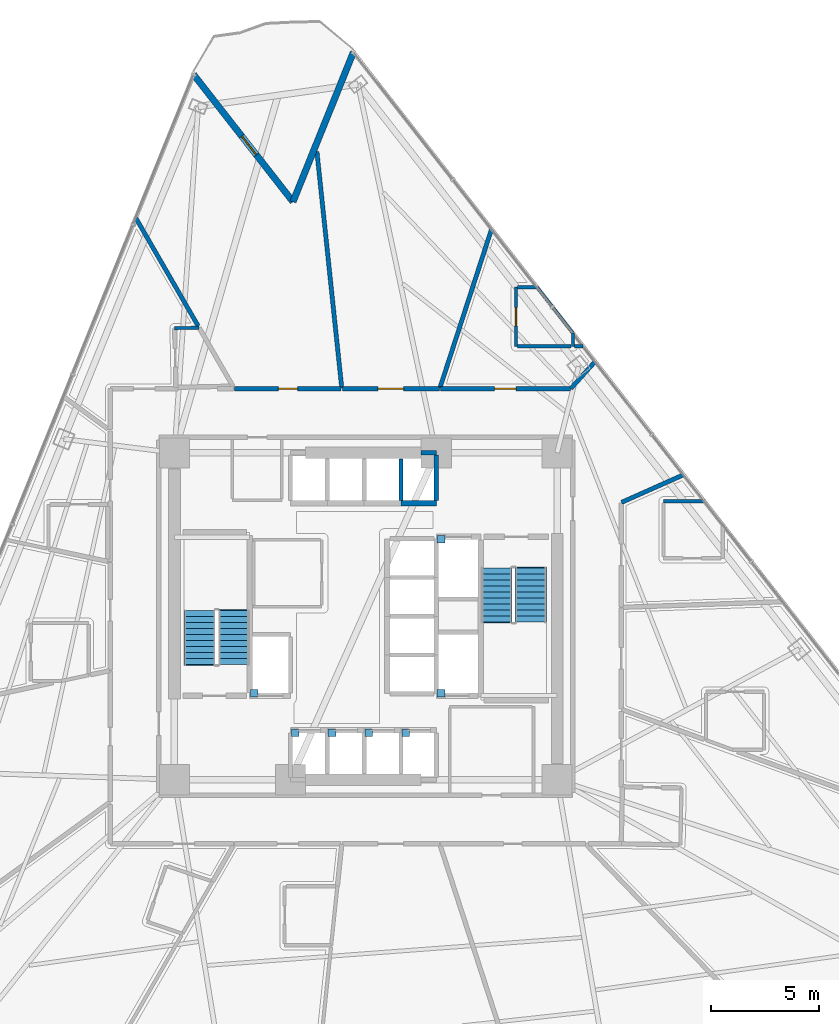
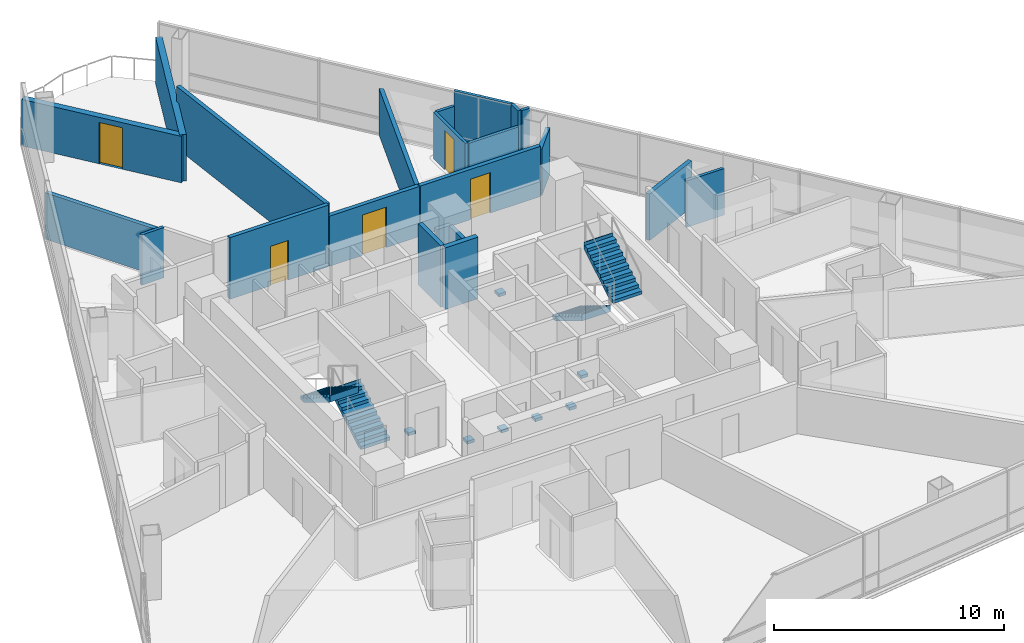
# One storey, part 10 of 15: 22 walls, 7 discrete accessories, 5 doors, 4 stair flights, 5 openings, 2 elements without a shape of their own.
"""IFC4 building model written with IfcOpenShell, lengths in metres."""

from ifc_helpers import new_model, si_unit, direction, frame, frame_2d, origin, origin_2d, place, context, subcontext, project, spatial, polyline, rectangle, outline, extrude, material, layer, layer_set, type_object, element, fill, aggregate, save


model = new_model("IFC4")

# Units and contexts
model_context = context("Model", 3, precision=1e-05, world=origin(), true_north=direction((0.0, 1.0)))
body_context = subcontext(model_context, "Body", "Model", "MODEL_VIEW")
ifc_project = project(units=[si_unit("LENGTHUNIT", "METRE"), si_unit("AREAUNIT", "SQUARE_METRE"), si_unit("VOLUMEUNIT", "CUBIC_METRE"), si_unit("PLANEANGLEUNIT", "RADIAN"), si_unit("MASSUNIT", "GRAM", prefix="KILO")], contexts=[model_context])

# Site, building, storey
site_placement = place(None, origin())
site = spatial("IfcSite", under=ifc_project, at=site_placement, CompositionType="ELEMENT")
building_placement = place(site_placement, origin())
building = spatial("IfcBuilding", under=site, at=building_placement, Name="Tharavind Bronze Gate", CompositionType="ELEMENT")
storey_placement = place(building_placement, frame((0.0, 0.0, 63.85009765625)))
storey = spatial("IfcBuildingStorey", under=building, at=storey_placement, Name="L15", CompositionType="ELEMENT", Elevation=63.85009765625)

# Wall
ifc_material_1 = material(Name="Concrete C40/50", Category="concrete")
ifc_layer_1 = layer(ifc_material_1, 0.300048828125)
ifc_layer_set_1 = layer_set([ifc_layer_1], Name="Concrete C40/50")
wall_type_1 = type_object("IfcWallType", Name="EXTERIOR SPANDREL WALL 300", PredefinedType="STANDARD", material=ifc_layer_set_1)
wall_1_placement = place(storey_placement, frame((-0.57373046875, 26.226806640625, 0.0), z_axis=(0.0, 0.0, 1.0), x_axis=(-0.374609979755, -0.92718248639, 0.0)))
element("IfcWall", 1, at=wall_1_placement, inside=storey, type_object=wall_type_1, Name="L15 notch cheek wall 1A", PredefinedType="STANDARD", context=body_context, shape_type="SweptSolid", body=[
    extrude(rectangle(XDim=7.5, YDim=0.300048828125, at=frame_2d((3.75, 0.0))), origin(), (0.0, 0.0, 1.0), 2.469970703125),
])

# Wall, opening, door
wall_2_placement = place(storey_placement, frame((-3.38330078125, 19.27294921875, 0.0), z_axis=(0.0, 0.0, 1.0), x_axis=(-0.615654149001, 0.788016477504, 0.0)))
wall_2 = element("IfcWall", 2, at=wall_2_placement, inside=storey, type_object=wall_type_1, Name="L15 notch cheek wall 1B", PredefinedType="STANDARD", context=body_context, shape_type="SweptSolid", body=[
    extrude(rectangle(XDim=7.5, YDim=0.300048828125, at=frame_2d((3.75, 0.0))), origin(), (0.0, 0.0, 1.0), 2.469970703125),
])
opening_1_placement = place(wall_2_placement, frame((2.76806640625, 0.0, 0.0)))
opening_1 = element("IfcOpeningElement", 3, at=opening_1_placement, cuts=wall_2, Name="Opening ED04", PredefinedType="OPENING", context=body_context, shape_type="SweptSolid", body=[
    extrude(rectangle(XDim=1.10009765625, YDim=2.199951171875, at=frame_2d((0.550048828125, 1.10009765625))), frame((0.0, 0.15990234375, 0.0), z_axis=(0.0, -1.0, 0.0), x_axis=(1.0, 0.0, 0.0)), (0.0, 0.0, 1.0), 0.320048828125),
])
ifc_material_2 = material(Name="Bronze Aluminium & Toughened Glass", Category="aluminium")
door_type_1 = type_object("IfcDoorType", Name="TREE BALCONY ACCESS DOOR 1100X2200", OperationType="SINGLE_SWING_LEFT", PredefinedType="DOOR", material=ifc_material_2)
door_1_placement = place(opening_1_placement, frame((1.10009765625, 0.0, 0.0), z_axis=(0.0, 0.0, 1.0), x_axis=(-1.0, 0.0, 0.0)))
door_1 = element("IfcDoor", 4, at=door_1_placement, inside=storey, type_object=door_type_1, Name="L15 tree balcony access door", OperationType="SINGLE_SWING_LEFT", OverallHeight=2.199951171875, OverallWidth=1.10009765625, PredefinedType="DOOR", context=body_context, shape_type="SweptSolid", body=[
    extrude(rectangle(XDim=1.10009765625, YDim=2.199951171875, at=frame_2d((0.550048828125, 1.10009765625))), frame((0.0, 0.02490234375, 0.0), z_axis=(0.0, -1.0, 0.0), x_axis=(1.0, 0.0, 0.0)), (0.0, 0.0, 1.0), 0.050048828125),
])
fill(opening_1, door_1)

# Walls
ifc_material_3 = material(Name="Aerated Concrete Block", Category="concrete")
ifc_layer_2 = layer(ifc_material_3, 0.199951171875)
ifc_layer_set_2 = layer_set([ifc_layer_2], Name="Aerated Concrete Block")
wall_type_2 = type_object("IfcWallType", Name="FIRE RATED PARTITION 200", PredefinedType="PARTITIONING", material=ifc_layer_set_2)
wall_3_placement = place(storey_placement, frame((11.894775390625, 5.2958984375, 0.0), z_axis=(0.0, 0.0, 1.0), x_axis=(0.91355769443, 0.406709157689, 0.0)))
element("IfcWall", 5, at=wall_3_placement, inside=storey, type_object=wall_type_2, Name="L15 Diplomatic Hotel Suite partition", PredefinedType="PARTITIONING", context=body_context, shape_type="SweptSolid", body=[
    extrude(rectangle(XDim=3.13525390625, YDim=0.199951171875, at=frame_2d((1.567626953125, 0.0))), origin(), (0.0, 0.0, 1.0), 2.469970703125),
])
wall_4_placement = place(storey_placement, frame((10.64990234375, 11.827880859375, 0.0), z_axis=(0.0, 0.0, 1.0), x_axis=(-0.669183038029, -0.74309761244, 0.0)))
element("IfcWall", 6, at=wall_4_placement, inside=storey, type_object=wall_type_2, Name="L15 Hotel Guest Room partition", PredefinedType="PARTITIONING", context=body_context, shape_type="SweptSolid", body=[
    extrude(rectangle(XDim=1.66796875, YDim=0.199951171875, at=frame_2d((0.833984375, 0.0))), origin(), (0.0, 0.0, 1.0), 2.469970703125),
])

# Wall, opening, door
wall_5_placement = place(storey_placement, frame((9.51513671875, 10.580078125, 0.0), z_axis=(0.0, 0.0, 1.0), x_axis=(-1.0, 0.0, 0.0)))
wall_5 = element("IfcWall", 7, at=wall_5_placement, inside=storey, type_object=wall_type_2, Name="L15 Hotel Guest Room partition", PredefinedType="PARTITIONING", context=body_context, shape_type="SweptSolid", body=[
    extrude(rectangle(XDim=6.04296875, YDim=0.199951171875, at=frame_2d((3.021484375, 0.0))), origin(), (0.0, 0.0, 1.0), 2.669921875),
])
opening_2_placement = place(wall_5_placement, frame((2.52099609375, 0.0, 0.0)))
opening_2 = element("IfcOpeningElement", 8, at=opening_2_placement, cuts=wall_5, Name="Opening ID03", PredefinedType="OPENING", context=body_context, shape_type="SweptSolid", body=[
    extrude(rectangle(XDim=1.0, YDim=2.14990234375, at=frame_2d((0.5, 1.074951171875))), frame((0.0, 0.11009765625, 0.0), z_axis=(0.0, -1.0, 0.0), x_axis=(1.0, 0.0, 0.0)), (0.0, 0.0, 1.0), 0.219951171875),
])
ifc_material_4 = material(Name="Solid Timber Veneer", Category="wood")
door_type_2 = type_object("IfcDoorType", Name="HOTEL SUITE ENTRANCE DOOR 1000X2150", OperationType="SINGLE_SWING_LEFT", PredefinedType="DOOR", material=ifc_material_4)
door_2_placement = place(opening_2_placement, origin())
door_2 = element("IfcDoor", 9, at=door_2_placement, inside=storey, type_object=door_type_2, Name="L15 Hotel Guest Room door", OperationType="SINGLE_SWING_LEFT", OverallHeight=2.14990234375, OverallWidth=1.0, PredefinedType="DOOR", context=body_context, shape_type="SweptSolid", body=[
    extrude(rectangle(XDim=1.0, YDim=2.14990234375, at=frame_2d((0.5, 1.074951171875))), frame((0.0, 0.02490234375, 0.0), z_axis=(0.0, -1.0, 0.0), x_axis=(1.0, 0.0, 0.0)), (0.0, 0.0, 1.0), 0.050048828125),
])
fill(opening_2, door_2)

# Wall
wall_6_placement = place(storey_placement, frame((3.4482421875, 10.61279296875, 0.0), z_axis=(0.0, 0.0, 1.0), x_axis=(0.30901930812, 0.951055764511, 0.0)))
element("IfcWall", 10, at=wall_6_placement, inside=storey, type_object=wall_type_2, Name="L15 Hotel Guest Room partition", PredefinedType="PARTITIONING", context=body_context, shape_type="SweptSolid", body=[
    extrude(rectangle(XDim=7.7724609375, YDim=0.199951171875, at=frame_2d((3.88623046875, 0.0))), origin(), (0.0, 0.0, 1.0), 2.469970703125),
])

# Wall, opening, door
wall_7_placement = place(storey_placement, frame((3.41943359375, 10.580078125, 0.0), z_axis=(0.0, 0.0, 1.0), x_axis=(-1.0, 0.0, 0.0)))
wall_7 = element("IfcWall", 11, at=wall_7_placement, inside=storey, type_object=wall_type_2, Name="L15 Hotel Guest Lounge partition", PredefinedType="PARTITIONING", context=body_context, shape_type="SweptSolid", body=[
    extrude(rectangle(XDim=4.509033203125, YDim=0.199951171875, at=frame_2d((2.25439453125, 0.0))), origin(), (0.0, 0.0, 1.0), 2.669921875),
])
opening_3_placement = place(wall_7_placement, frame((1.655029296875, 0.0, 0.0)))
opening_3 = element("IfcOpeningElement", 12, at=opening_3_placement, cuts=wall_7, Name="Opening ID05", PredefinedType="OPENING", context=body_context, shape_type="SweptSolid", body=[
    extrude(rectangle(XDim=1.199951171875, YDim=2.14990234375, at=frame_2d((0.60009765625, 1.074951171875))), frame((0.0, 0.11009765625, 0.0), z_axis=(0.0, -1.0, 0.0), x_axis=(1.0, 0.0, 0.0)), (0.0, 0.0, 1.0), 0.219951171875),
])
ifc_material_5 = material(Name="Acoustic Laminated Glass", Category="glass")
door_type_3 = type_object("IfcDoorType", Name="MEETING ROOM GLAZED DOOR 1200X2150", OperationType="SINGLE_SWING_LEFT", PredefinedType="DOOR", material=ifc_material_5)
door_3_placement = place(opening_3_placement, origin())
door_3 = element("IfcDoor", 13, at=door_3_placement, inside=storey, type_object=door_type_3, Name="L15 Hotel Guest Lounge door", OperationType="SINGLE_SWING_LEFT", OverallHeight=2.14990234375, OverallWidth=1.199951171875, PredefinedType="DOOR", context=body_context, shape_type="SweptSolid", body=[
    extrude(rectangle(XDim=1.199951171875, YDim=2.14990234375, at=frame_2d((0.60009765625, 1.074951171875))), frame((0.0, 0.02490234375, 0.0), z_axis=(0.0, -1.0, 0.0), x_axis=(1.0, 0.0, 0.0)), (0.0, 0.0, 1.0), 0.050048828125),
])
fill(opening_3, door_3)

# Wall
wall_8_placement = place(storey_placement, frame((-1.114501953125, 10.602294921875, 0.0), z_axis=(0.0, 0.0, 1.0), x_axis=(-0.104520606216, 0.994522721146, 0.0)))
element("IfcWall", 14, at=wall_8_placement, inside=storey, type_object=wall_type_2, Name="L15 Hotel Guest Lounge partition", PredefinedType="PARTITIONING", context=body_context, shape_type="SweptSolid", body=[
    extrude(rectangle(XDim=11.0693359375, YDim=0.199951171875, at=frame_2d((5.53466796875, 0.0))), origin(), (0.0, 0.0, 1.0), 3.27490234375),
])

# Wall, opening, door
wall_9_placement = place(storey_placement, frame((-1.139892578125, 10.580078125, 0.0), z_axis=(0.0, 0.0, 1.0), x_axis=(-1.0, 0.0, 0.0)))
wall_9 = element("IfcWall", 15, at=wall_9_placement, inside=storey, type_object=wall_type_2, Name="L15 Housekeeping & Linen Room partition", PredefinedType="PARTITIONING", context=body_context, shape_type="SweptSolid", body=[
    extrude(rectangle(XDim=4.9541015625, YDim=0.199951171875, at=frame_2d((2.47705078125, 0.0))), origin(), (0.0, 0.0, 1.0), 3.27490234375),
])
opening_4_placement = place(wall_9_placement, frame((2.027099609375, 0.0, 0.0)))
opening_4 = element("IfcOpeningElement", 16, at=opening_4_placement, cuts=wall_9, Name="Opening ID07", PredefinedType="OPENING", context=body_context, shape_type="SweptSolid", body=[
    extrude(rectangle(XDim=0.89990234375, YDim=2.10009765625, at=frame_2d((0.449951171875, 1.050048828125))), frame((0.0, 0.11009765625, 0.0), z_axis=(0.0, -1.0, 0.0), x_axis=(1.0, 0.0, 0.0)), (0.0, 0.0, 1.0), 0.219951171875),
])
ifc_material_6 = material(Name="Galvanised Fire Steel", Category="steel")
door_type_4 = type_object("IfcDoorType", Name="PLANT AND RISER FIRE DOOR 900X2100", OperationType="SINGLE_SWING_LEFT", PredefinedType="DOOR", material=ifc_material_6)
door_4_placement = place(opening_4_placement, origin())
door_4 = element("IfcDoor", 17, at=door_4_placement, inside=storey, type_object=door_type_4, Name="L15 Housekeeping & Linen Room door", OperationType="SINGLE_SWING_LEFT", OverallHeight=2.10009765625, OverallWidth=0.89990234375, PredefinedType="DOOR", context=body_context, shape_type="SweptSolid", body=[
    extrude(rectangle(XDim=0.89990234375, YDim=2.10009765625, at=frame_2d((0.449951171875, 1.050048828125))), frame((0.0, 0.02490234375, 0.0), z_axis=(0.0, -1.0, 0.0), x_axis=(1.0, 0.0, 0.0)), (0.0, 0.0, 1.0), 0.050048828125),
])
fill(opening_4, door_4)

# Walls
wall_10_placement = place(storey_placement, frame((-7.792236328125, 13.49658203125, 0.0), z_axis=(0.0, 0.0, 1.0), x_axis=(-0.499990180648, 0.866031072916, 0.0)))
element("IfcWall", 18, at=wall_10_placement, inside=storey, type_object=wall_type_2, Name="L15 Housekeeping & Linen Room partition", PredefinedType="PARTITIONING", context=body_context, shape_type="SweptSolid", body=[
    extrude(rectangle(XDim=5.78857421875, YDim=0.199951171875, at=frame_2d((2.894287109375, 0.0))), origin(), (0.0, 0.0, 1.0), 2.469970703125),
])
ifc_material_7 = material(Name="Twin Stud Acoustic Gypsum", Category="gypsum")
ifc_layer_3 = layer(ifc_material_7, 0.14990234375)
ifc_layer_set_3 = layer_set([ifc_layer_3], Name="Twin Stud Acoustic Gypsum")
wall_type_3 = type_object("IfcWallType", Name="INTERIOR PARTITION WALL 150", PredefinedType="PARTITIONING", material=ifc_layer_set_3)
wall_11_placement = place(storey_placement, frame((13.85009765625, 5.3427734375, 0.0), z_axis=(0.0, 0.0, 1.0), x_axis=(1.0, 0.0, 0.0)))
element("IfcWall", 19, at=wall_11_placement, inside=storey, type_object=wall_type_3, Name="L15 En-Suite Bathroom partition", PredefinedType="PARTITIONING", context=body_context, shape_type="SweptSolid", body=[
    extrude(rectangle(XDim=1.892822265625, YDim=0.14990234375, at=frame_2d((0.9462890625, 0.0))), origin(), (0.0, 0.0, 1.0), 2.469970703125),
])

# Wall, opening, door
wall_12_placement = place(storey_placement, frame((6.984375, 12.550048828125, 0.0), z_axis=(0.0, 0.0, 1.0), x_axis=(0.0, 1.0, 0.0)))
wall_12 = element("IfcWall", 20, at=wall_12_placement, inside=storey, type_object=wall_type_3, Name="L15 En-Suite Bathroom partition", PredefinedType="PARTITIONING", context=body_context, shape_type="SweptSolid", body=[
    extrude(rectangle(XDim=2.75, YDim=0.14990234375, at=frame_2d((1.375, 0.0))), origin(), (0.0, 0.0, 1.0), 2.469970703125),
])
opening_5_placement = place(wall_12_placement, frame((0.949951171875, 0.0, 0.0)))
opening_5 = element("IfcOpeningElement", 21, at=opening_5_placement, cuts=wall_12, Name="Opening ID06", PredefinedType="OPENING", context=body_context, shape_type="SweptSolid", body=[
    extrude(rectangle(XDim=0.85009765625, YDim=2.10009765625, at=frame_2d((0.425048828125, 1.050048828125))), frame((0.0, 0.084951171875, 0.0), z_axis=(0.0, -1.0, 0.0), x_axis=(1.0, 0.0, 0.0)), (0.0, 0.0, 1.0), 0.16990234375),
])
ifc_material_8 = material(Name="Moisture-Resistant Timber", Category="wood")
door_type_5 = type_object("IfcDoorType", Name="BATHROOM PRIVACY DOOR 850X2100", OperationType="SINGLE_SWING_RIGHT", PredefinedType="DOOR", material=ifc_material_8)
door_5_placement = place(opening_5_placement, origin())
door_5 = element("IfcDoor", 22, at=door_5_placement, inside=storey, type_object=door_type_5, Name="L15 En-Suite Bathroom door", OperationType="SINGLE_SWING_RIGHT", OverallHeight=2.10009765625, OverallWidth=0.85009765625, PredefinedType="DOOR", context=body_context, shape_type="SweptSolid", body=[
    extrude(rectangle(XDim=0.85009765625, YDim=2.10009765625, at=frame_2d((0.425048828125, 1.050048828125))), frame((0.0, 0.02490234375, 0.0), z_axis=(0.0, -1.0, 0.0), x_axis=(1.0, 0.0, 0.0)), (0.0, 0.0, 1.0), 0.050048828125),
])
fill(opening_5, door_5)

# Walls
wall_13_placement = place(storey_placement, frame((7.064208984375, 15.300048828125, 0.0), z_axis=(0.0, 0.0, 1.0), x_axis=(1.0, 0.0, 0.0)))
element("IfcWall", 23, at=wall_13_placement, inside=storey, type_object=wall_type_3, Name="L15 En-Suite Bathroom partition", PredefinedType="PARTITIONING", context=body_context, shape_type="SweptSolid", body=[
    extrude(rectangle(XDim=0.899169921875, YDim=0.14990234375, at=frame_2d((0.44970703125, 0.0))), origin(), (0.0, 0.0, 1.0), 2.469970703125),
])
wall_14_placement = place(storey_placement, frame((7.96337890625, 15.300048828125, 0.0), z_axis=(0.0, 0.0, 1.0), x_axis=(0.615614367474, -0.788047556026, 0.0)))
element("IfcWall", 24, at=wall_14_placement, inside=storey, type_object=wall_type_3, Name="L15 En-Suite Bathroom partition", PredefinedType="PARTITIONING", context=body_context, shape_type="SweptSolid", body=[
    extrude(rectangle(XDim=2.714111328125, YDim=0.14990234375, at=frame_2d((1.35693359375, 0.0))), origin(), (0.0, 0.0, 1.0), 3.27490234375),
])
wall_15_placement = place(storey_placement, frame((9.63427734375, 13.1611328125, 0.0), z_axis=(0.0, 0.0, 1.0), x_axis=(0.0, -1.0, 0.0)))
element("IfcWall", 25, at=wall_15_placement, inside=storey, type_object=wall_type_3, Name="L15 En-Suite Bathroom partition", PredefinedType="PARTITIONING", context=body_context, shape_type="SweptSolid", body=[
    extrude(rectangle(XDim=0.611083984375, YDim=0.14990234375, at=frame_2d((0.3056640625, 0.0))), origin(), (0.0, 0.0, 1.0), 3.27490234375),
])
wall_16_placement = place(storey_placement, frame((10.11181640625, 12.550048828125, 0.0), z_axis=(0.0, 0.0, 1.0), x_axis=(-1.0, 0.0, 0.0)))
element("IfcWall", 26, at=wall_16_placement, inside=storey, type_object=wall_type_3, Name="L15 En-Suite Bathroom partition", PredefinedType="PARTITIONING", context=body_context, shape_type="SweptSolid", body=[
    extrude(rectangle(XDim=0.3974609375, YDim=0.14990234375, at=frame_2d((0.19873046875, 0.0))), origin(), (0.0, 0.0, 1.0), 3.27490234375),
])
wall_17_placement = place(storey_placement, frame((9.55419921875, 12.550048828125, 0.0), z_axis=(0.0, 0.0, 1.0), x_axis=(-1.0, 0.0, 0.0)))
element("IfcWall", 27, at=wall_17_placement, inside=storey, type_object=wall_type_3, Name="L15 En-Suite Bathroom partition", PredefinedType="PARTITIONING", context=body_context, shape_type="SweptSolid", body=[
    extrude(rectangle(XDim=2.489990234375, YDim=0.14990234375, at=frame_2d((1.2451171875, 0.0))), origin(), (0.0, 0.0, 1.0), 2.469970703125),
])
wall_18_placement = place(storey_placement, frame((-8.885009765625, 13.3935546875, 0.0), z_axis=(0.0, 0.0, 1.0), x_axis=(0.999779226224, 0.02101187308, 0.0)))
element("IfcWall", 28, at=wall_18_placement, inside=storey, type_object=wall_type_3, Name="L15 En-Suite Bathroom partition", PredefinedType="PARTITIONING", context=body_context, shape_type="SweptSolid", body=[
    extrude(rectangle(XDim=1.138671875, YDim=0.14990234375, at=frame_2d((0.5693359375, 0.0))), origin(), (0.0, 0.0, 1.0), 2.669921875),
])
ifc_material_9 = material(Name="Concrete C50/60", Category="concrete")
ifc_layer_4 = layer(ifc_material_9, 0.25)
ifc_layer_set_4 = layer_set([ifc_layer_4], Name="Concrete C50/60")
wall_type_4 = type_object("IfcWallType", Name="RC CORE SHEAR WALL 250", PredefinedType="SHEAR", material=ifc_layer_set_4)
wall_19_placement = place(storey_placement, frame((1.637451171875, 5.25, 0.0), z_axis=(0.0, 0.0, 1.0), x_axis=(1.0, 0.0, 0.0)))
element("IfcWall", 29, at=wall_19_placement, inside=storey, type_object=wall_type_4, Name="L15 lift PL8 shaft front wall", PredefinedType="SHEAR", context=body_context, shape_type="SweptSolid", body=[
    extrude(rectangle(XDim=1.642578125, YDim=0.25, at=frame_2d((0.8212890625, 0.0))), origin(), (0.0, 0.0, 1.0), 3.27490234375),
])
ifc_layer_5 = layer(ifc_material_1, 0.199951171875)
ifc_layer_set_5 = layer_set([ifc_layer_5], Name="Concrete C40/50")
wall_type_5 = type_object("IfcWallType", Name="SHAFT ENCLOSURE WALL 200", PredefinedType="PARTITIONING", material=ifc_layer_set_5)
wall_20_placement = place(storey_placement, frame((1.637451171875, 5.3798828125, 0.0), z_axis=(0.0, 0.0, 1.0), x_axis=(0.0, 1.0, 0.0)))
element("IfcWall", 30, at=wall_20_placement, inside=storey, type_object=wall_type_5, Name="L15 lift PL7 shaft E enclosure wall", PredefinedType="PARTITIONING", context=body_context, shape_type="SweptSolid", body=[
    extrude(rectangle(XDim=1.940185546875, YDim=0.199951171875, at=frame_2d((0.97021484375, 0.0))), origin(), (0.0, 0.0, 1.0), 3.27490234375),
])
wall_21_placement = place(storey_placement, frame((2.580078125, 7.60009765625, 0.0), z_axis=(0.0, 0.0, 1.0), x_axis=(1.0, 0.0, 0.0)))
element("IfcWall", 31, at=wall_21_placement, inside=storey, type_object=wall_type_5, Name="L15 lift PL8 shaft N enclosure wall", PredefinedType="PARTITIONING", context=body_context, shape_type="SweptSolid", body=[
    extrude(rectangle(XDim=0.699951171875, YDim=0.199951171875, at=frame_2d((0.35009765625, 0.0))), origin(), (0.0, 0.0, 1.0), 2.469970703125),
])
wall_22_placement = place(storey_placement, frame((3.280029296875, 5.3798828125, 0.0), z_axis=(0.0, 0.0, 1.0), x_axis=(0.0, 1.0, 0.0)))
element("IfcWall", 32, at=wall_22_placement, inside=storey, type_object=wall_type_5, Name="L15 lift PL8 shaft E enclosure wall", PredefinedType="PARTITIONING", context=body_context, shape_type="SweptSolid", body=[
    extrude(rectangle(XDim=2.115234375, YDim=0.199951171875, at=frame_2d((1.0576171875, 0.0))), origin(), (0.0, 0.0, 1.0), 2.469970703125),
])

# Stair, stair flights
stair_type = type_object("IfcStairType", Name="CORE HALF TURN STAIR 1450", PredefinedType="HALF_TURN_STAIR", material=ifc_material_1)
stair_1_placement = place(storey_placement, origin())
stair_1 = element("IfcStair", 33, at=stair_1_placement, inside=storey, type_object=stair_type, Name="L15 Protected Exit Stair ST1", PredefinedType="HALF_TURN_STAIR")
stair_flight_type = type_object("IfcStairFlightType", Name="CORE STAIR FLIGHT 1450", PredefinedType="STRAIGHT", material=ifc_material_1)
stair_flight_1_placement = place(storey_placement, frame((-6.125, -2.25, 0.0), z_axis=(0.0, 0.0, 1.0), x_axis=(0.0, 1.0, 0.0)))
stair_flight_1 = element("IfcStairFlight", 34, at=stair_flight_1_placement, type_object=stair_flight_type, Name="ST1 flight 1", NumberOfRisers=10, NumberOfTreads=9, PredefinedType="STRAIGHT", RiserHeight=0.1725, TreadLength=0.28, context=body_context, shape_type="SweptSolid", body=[
    extrude(outline(polyline([(0.0, 0.0), (0.0, 0.172607421875), (0.280029296875, 0.172607421875), (0.280029296875, 0.344970703125), (0.56005859375, 0.344970703125), (0.56005859375, 0.517578125), (0.840087890625, 0.517578125), (0.840087890625, 0.68994140625), (1.1201171875, 0.68994140625), (1.1201171875, 0.862548828125), (1.39990234375, 0.862548828125), (1.39990234375, 1.034912109375), (1.679931640625, 1.034912109375), (1.679931640625, 1.20751953125), (1.9599609375, 1.20751953125), (1.9599609375, 1.3798828125), (2.239990234375, 1.3798828125), (2.239990234375, 1.552490234375), (2.52001953125, 1.552490234375), (2.52001953125, 1.72509765625), (2.555908203125, 1.72509765625), (2.555908203125, 1.37646484375), (0.285888671875, 0.0), (0.0, 0.0)])), frame((0.0, 0.72509765625, 0.0), z_axis=(0.0, -1.0, 0.0), x_axis=(1.0, 0.0, 0.0)), (0.0, 0.0, 1.0), 1.449951171875),
])
stair_flight_2_placement = place(storey_placement, frame((-7.72509765625, 0.27001953125, 1.724853515625), z_axis=(0.0, 0.0, 1.0), x_axis=(0.0, -1.0, 0.0)))
stair_flight_2 = element("IfcStairFlight", 35, at=stair_flight_2_placement, type_object=stair_flight_type, Name="ST1 flight 2", NumberOfRisers=10, NumberOfTreads=9, PredefinedType="STRAIGHT", RiserHeight=0.1725, TreadLength=0.28, context=body_context, shape_type="SweptSolid", body=[
    extrude(outline(polyline([(0.0, 0.0), (0.0, 0.172607421875), (0.280029296875, 0.172607421875), (0.280029296875, 0.344970703125), (0.56005859375, 0.344970703125), (0.56005859375, 0.517578125), (0.840087890625, 0.517578125), (0.840087890625, 0.68994140625), (1.1201171875, 0.68994140625), (1.1201171875, 0.862548828125), (1.39990234375, 0.862548828125), (1.39990234375, 1.034912109375), (1.679931640625, 1.034912109375), (1.679931640625, 1.20751953125), (1.9599609375, 1.20751953125), (1.9599609375, 1.3798828125), (2.239990234375, 1.3798828125), (2.239990234375, 1.552490234375), (2.52001953125, 1.552490234375), (2.52001953125, 1.72509765625), (2.555908203125, 1.72509765625), (2.555908203125, 1.37646484375), (0.285888671875, 0.0), (0.0, 0.0)])), frame((0.0, 0.72509765625, 0.0), z_axis=(0.0, -1.0, 0.0), x_axis=(1.0, 0.0, 0.0)), (0.0, 0.0, 1.0), 1.449951171875),
])
aggregate(stair_1, [stair_flight_1, stair_flight_2])

stair_2_placement = place(storey_placement, origin())
stair_2 = element("IfcStair", 36, at=stair_2_placement, inside=storey, type_object=stair_type, Name="L15 Protected Exit Stair ST2", PredefinedType="HALF_TURN_STAIR")
stair_flight_3_placement = place(storey_placement, frame((6.074951171875, 2.25, 0.0), z_axis=(0.0, 0.0, 1.0), x_axis=(0.0, -1.0, 0.0)))
stair_flight_3 = element("IfcStairFlight", 37, at=stair_flight_3_placement, type_object=stair_flight_type, Name="ST2 flight 1", NumberOfRisers=10, NumberOfTreads=9, PredefinedType="STRAIGHT", RiserHeight=0.1725, TreadLength=0.28, context=body_context, shape_type="SweptSolid", body=[
    extrude(outline(polyline([(0.0, 0.0), (0.0, 0.172607421875), (0.280029296875, 0.172607421875), (0.280029296875, 0.344970703125), (0.56005859375, 0.344970703125), (0.56005859375, 0.517578125), (0.840087890625, 0.517578125), (0.840087890625, 0.68994140625), (1.1201171875, 0.68994140625), (1.1201171875, 0.862548828125), (1.39990234375, 0.862548828125), (1.39990234375, 1.034912109375), (1.679931640625, 1.034912109375), (1.679931640625, 1.20751953125), (1.9599609375, 1.20751953125), (1.9599609375, 1.3798828125), (2.239990234375, 1.3798828125), (2.239990234375, 1.552490234375), (2.52001953125, 1.552490234375), (2.52001953125, 1.72509765625), (2.555908203125, 1.72509765625), (2.555908203125, 1.37646484375), (0.285888671875, 0.0), (0.0, 0.0)])), frame((0.0, 0.72509765625, 0.0), z_axis=(0.0, -1.0, 0.0), x_axis=(1.0, 0.0, 0.0)), (0.0, 0.0, 1.0), 1.449951171875),
])
stair_flight_4_placement = place(storey_placement, frame((7.675048828125, -0.27001953125, 1.724853515625), z_axis=(0.0, 0.0, 1.0), x_axis=(0.0, 1.0, 0.0)))
stair_flight_4 = element("IfcStairFlight", 38, at=stair_flight_4_placement, type_object=stair_flight_type, Name="ST2 flight 2", NumberOfRisers=10, NumberOfTreads=9, PredefinedType="STRAIGHT", RiserHeight=0.1725, TreadLength=0.28, context=body_context, shape_type="SweptSolid", body=[
    extrude(outline(polyline([(0.0, 0.0), (0.0, 0.172607421875), (0.280029296875, 0.172607421875), (0.280029296875, 0.344970703125), (0.56005859375, 0.344970703125), (0.56005859375, 0.517578125), (0.840087890625, 0.517578125), (0.840087890625, 0.68994140625), (1.1201171875, 0.68994140625), (1.1201171875, 0.862548828125), (1.39990234375, 0.862548828125), (1.39990234375, 1.034912109375), (1.679931640625, 1.034912109375), (1.679931640625, 1.20751953125), (1.9599609375, 1.20751953125), (1.9599609375, 1.3798828125), (2.239990234375, 1.3798828125), (2.239990234375, 1.552490234375), (2.52001953125, 1.552490234375), (2.52001953125, 1.72509765625), (2.555908203125, 1.72509765625), (2.555908203125, 1.37646484375), (0.285888671875, 0.0), (0.0, 0.0)])), frame((0.0, 0.72509765625, 0.0), z_axis=(0.0, -1.0, 0.0), x_axis=(1.0, 0.0, 0.0)), (0.0, 0.0, 1.0), 1.449951171875),
])
aggregate(stair_2, [stair_flight_3, stair_flight_4])

# Discrete accessories
ifc_material_10 = material(Name="Galvanised Steel S355", Category="steel")
discrete_accessory_type = type_object("IfcDiscreteAccessoryType", Name="LIFT GUIDE RAIL BRACKET", PredefinedType="BRACKET", material=ifc_material_10)
for number, where, z_axis, x_axis, name in (
    (39, (-3.280029296875, -5.419921875, 1.1201171875), (0.0, 0.0, 1.0), (1.0, 0.0, 0.0), "Lift PL1 guide rail bracket at L15"),
    (40, (-1.5673828125, -5.419921875, 1.1201171875), (0.0, 0.0, 1.0), (1.0, 0.0, 0.0), "Lift PL2 guide rail bracket at L15"),
    (41, (0.14501953125, -5.419921875, 1.1201171875), (0.0, 0.0, 1.0), (1.0, 0.0, 0.0), "Lift PL3 guide rail bracket at L15"),
    (42, (1.857421875, -5.419921875, 1.1201171875), (0.0, 0.0, 1.0), (1.0, 0.0, 0.0), "Lift PL4 guide rail bracket at L15"),
    (43, (-5.179931640625, -3.580078125, 1.1201171875), (0.0, 0.0, 1.0), (1.0, 0.0, 0.0), "Lift FFL1 guide rail bracket at L15"),
    (44, (3.5, 3.580078125, 1.1201171875), (0.0, 0.0, 1.0), (1.0, 0.0, 0.0), "Lift FFL2 guide rail bracket at L15"),
    (45, (3.5, -3.580078125, 1.1201171875), (0.0, 0.0, 1.0), (1.0, 0.0, 0.0), "Lift SVL1 guide rail bracket at L15"),
):
    element("IfcDiscreteAccessory", number, at=place(storey_placement, frame(where, z_axis=z_axis, x_axis=x_axis)), inside=storey, type_object=discrete_accessory_type, Name=name, PredefinedType="BRACKET", context=body_context, shape_type="SweptSolid", body=[
        extrude(rectangle(XDim=0.360107421875, YDim=0.360107421875, at=origin_2d()), origin(), (0.0, 0.0, 1.0), 0.159912109375),
    ])

save(model, "model.ifc")
